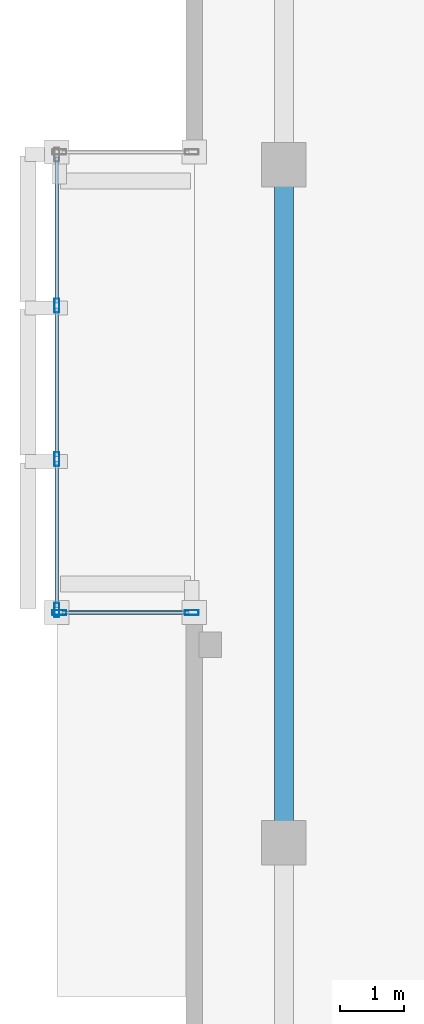
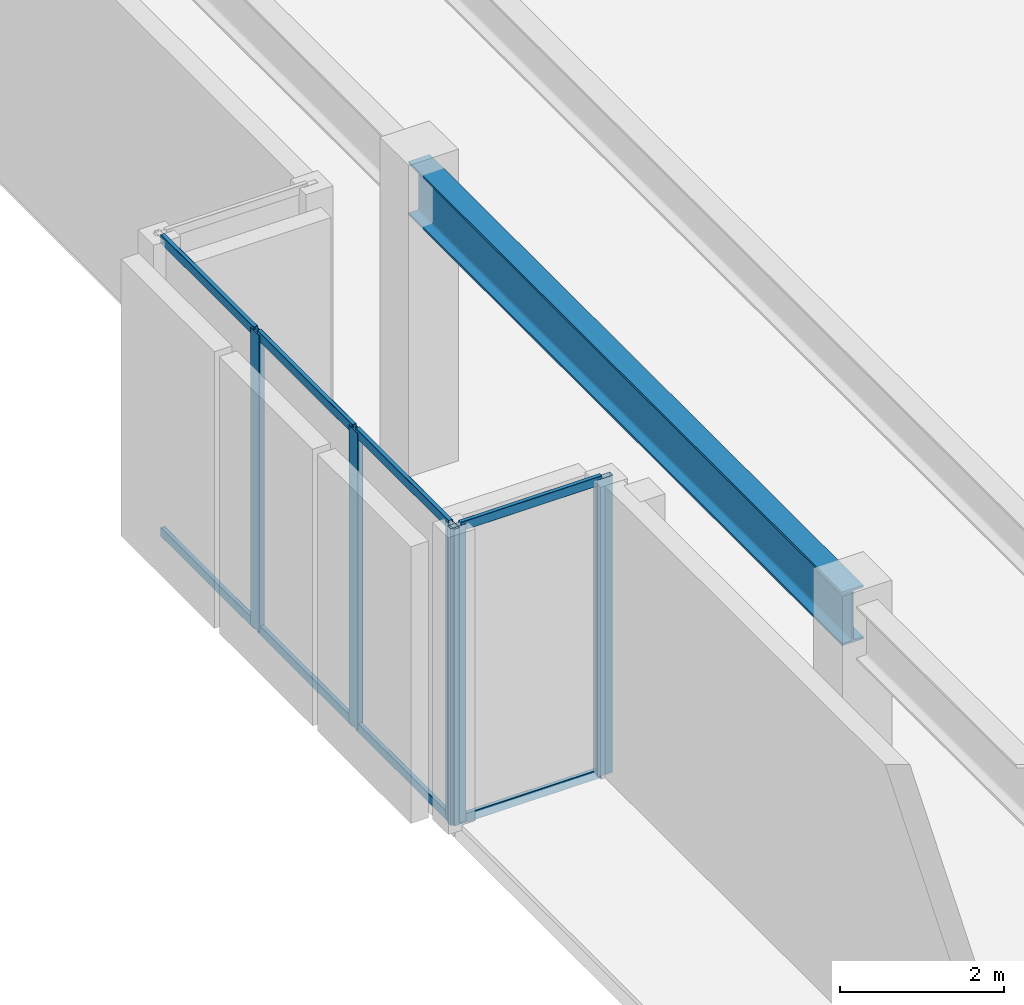
# One storey, part 2 of 16: 13 members, 1 beam, 2 elements without a shape of their own.
"""IFC4 building model written with IfcOpenShell, lengths in metres."""

import ifcopenshell
import ifcopenshell.guid

model = None  # the IFC model being written
_history = None  # IfcOwnerHistory: only IFC2X3 demands one
_inside = {}  # id of a spatial element -> (the spatial element, [elements in it])
_under = {}  # id of a project, library or spatial element -> (it, [spatial elements below it])
_declared = {}  # id of a project -> (the project, [libraries it declares])
_typed = {}  # id of a type object -> (the type object, [elements of that type])
_made_of = {}  # id of a material, layer set ... -> (it, [elements and type objects made of it])


def new_model(schema):
    """Start an empty IFC model of exactly this schema.

    Asked for "IFC4X3", IfcOpenShell would pick the latest addendum, in which some entities
    have other attributes; the version numbers below select the first issue.
    IFC2X3 requires an IfcOwnerHistory on every rooted entity: one is made here for all.
    """
    global model, _history
    if schema == "IFC4X3":
        model = ifcopenshell.file(schema_version=(4, 3, 0, 0))
    else:
        model = ifcopenshell.file(schema=schema)
    _inside.clear()
    _under.clear()
    _declared.clear()
    _typed.clear()
    _made_of.clear()
    _history = None
    if model.schema == "IFC2X3":
        org = make("IfcOrganization", Name="unknown")
        user = make(
            "IfcPersonAndOrganization",
            ThePerson=make("IfcPerson", FamilyName="unknown"),
            TheOrganization=org,
        )
        app = make(
            "IfcApplication",
            ApplicationDeveloper=org,
            Version="unknown",
            ApplicationFullName="unknown",
            ApplicationIdentifier="unknown",
        )
        _history = make(
            "IfcOwnerHistory",
            OwningUser=user,
            OwningApplication=app,
            ChangeAction="ADDED",
            CreationDate=0,
        )
    return model


def make(cls, **values):
    """One entity of the class cls with the attributes given. An attribute that is None is left unset."""
    return model.create_entity(
        cls, **{name: value for name, value in values.items() if value is not None}
    )


def rooted(cls, **values):
    """An entity with a GlobalId (a new one), such as an element, a storey or a relation."""
    return make(cls, GlobalId=ifcopenshell.guid.new(), OwnerHistory=_history, **values)


def si_unit(unit_type, name, prefix=None):
    """IfcSIUnit, for example si_unit("LENGTHUNIT", "METRE", prefix="MILLI")."""
    return make("IfcSIUnit", UnitType=unit_type, Prefix=prefix, Name=name)


def assignment(units):
    """IfcUnitAssignment: the units of a project."""
    return None if units is None else make("IfcUnitAssignment", Units=units)


def point(xyz):
    """IfcCartesianPoint."""
    return None if xyz is None else make("IfcCartesianPoint", Coordinates=xyz)


def direction(xyz):
    """IfcDirection."""
    return None if xyz is None else make("IfcDirection", DirectionRatios=xyz)


def frame(location, z_axis=None, x_axis=None):
    """IfcAxis2Placement3D, a coordinate frame: its origin and axes. An axis left out is left unset."""
    return make(
        "IfcAxis2Placement3D",
        Location=point(location),
        Axis=direction(z_axis),
        RefDirection=direction(x_axis),
    )


def frame_2d(location, x_axis=None):
    """IfcAxis2Placement2D, a coordinate frame in the plane: its origin and x axis."""
    return make(
        "IfcAxis2Placement2D", Location=point(location), RefDirection=direction(x_axis)
    )


def origin():
    """The frame at (0, 0, 0) with its axes left unset."""
    return frame((0.0, 0.0, 0.0))


def origin_2d():
    """The frame at (0, 0) in the plane with its x axis left unset."""
    return frame_2d((0.0, 0.0))


def place(relative_to, where):
    """IfcLocalPlacement: puts the frame where relative to a parent placement (None: the world)."""
    return make(
        "IfcLocalPlacement", PlacementRelTo=relative_to, RelativePlacement=where
    )


def context(
    kind, dimensions, precision=None, world=None, true_north=None, identifier=None
):
    """IfcGeometricRepresentationContext, for example the 3D "Model" context."""
    return make(
        "IfcGeometricRepresentationContext",
        ContextIdentifier=identifier,
        ContextType=kind,
        CoordinateSpaceDimension=dimensions,
        Precision=precision,
        WorldCoordinateSystem=world,
        TrueNorth=true_north,
    )


def subcontext(parent, identifier, kind, view, scale=None):
    """IfcGeometricRepresentationSubContext, for example "Body" below "Model"."""
    return make(
        "IfcGeometricRepresentationSubContext",
        ContextIdentifier=identifier,
        ContextType=kind,
        ParentContext=parent,
        TargetScale=scale,
        TargetView=view,
    )


def project(units=None, contexts=None):
    """IfcProject with its units and contexts."""
    return rooted(
        "IfcProject",
        Name="project",
        RepresentationContexts=contexts,
        UnitsInContext=assignment(units),
    )


def spatial(cls, under=None, at=None, **own):
    """A site, building, storey or space (cls), placed at a placement, below another one or the project."""
    s = rooted(cls, ObjectPlacement=at, **own)
    if under is not None:
        _under.setdefault(under.id(), (under, []))[1].append(s)
    return s


def profile(cls, at=None, kind="AREA", **sizes):
    """A parametric profile (cls). Its sizes go by their IFC names, for example OverallWidth=200.0."""
    return make(cls, ProfileType=kind, Position=at, **sizes)


def hollow_rectangle(**sizes):
    """IfcRectangleHollowProfileDef."""
    return profile("IfcRectangleHollowProfileDef", **sizes)


def i_section(**sizes):
    """IfcIShapeProfileDef."""
    return profile("IfcIShapeProfileDef", **sizes)


def extrude(swept, where, along, depth):
    """IfcExtrudedAreaSolid: the profile swept, set in the frame where, extruded along a direction by depth."""
    return make(
        "IfcExtrudedAreaSolid",
        SweptArea=swept,
        Position=where,
        ExtrudedDirection=direction(along),
        Depth=depth,
    )


def shape(context_of_items, identifier, shape_type, items):
    """IfcShapeRepresentation: the items that make up one representation, for example the "Body"."""
    return make(
        "IfcShapeRepresentation",
        ContextOfItems=context_of_items,
        RepresentationIdentifier=identifier,
        RepresentationType=shape_type,
        Items=items,
    )


def material(Name=None, Category=None):
    """IfcMaterial."""
    return make("IfcMaterial", Name=Name, Category=Category)


def layer(
    of_material, thickness, ventilated=None, Name=None, Category=None, Priority=None
):
    """IfcMaterialLayer: one layer of a wall or slab, of a material (None: an air gap)."""
    return make(
        "IfcMaterialLayer",
        Material=of_material,
        LayerThickness=thickness,
        IsVentilated=ventilated,
        Name=Name,
        Category=Category,
        Priority=Priority,
    )


def layer_set(layers, Name=None):
    """IfcMaterialLayerSet."""
    return make("IfcMaterialLayerSet", MaterialLayers=layers, LayerSetName=Name)


def material_profile(
    of_material, cross_section, Name=None, Category=None, Priority=None
):
    """IfcMaterialProfile: a cross section and its material."""
    return make(
        "IfcMaterialProfile",
        Name=Name,
        Material=of_material,
        Profile=cross_section,
        Priority=Priority,
        Category=Category,
    )


def profile_set(profiles, Name=None, composite=None):
    """IfcMaterialProfileSet."""
    return make(
        "IfcMaterialProfileSet",
        Name=Name,
        MaterialProfiles=profiles,
        CompositeProfile=composite,
    )


def made_of(thing, what):
    """Note that an element or type object is made of a material, layer set ...; save() writes the relation."""
    if what is not None:
        _made_of.setdefault(what.id(), (what, []))[1].append(thing)
    return thing


def type_object(cls, material=None, **own):
    """A type object (cls), such as IfcWallType, which elements share."""
    return made_of(rooted(cls, **own), material)


def element(
    cls,
    number,
    at=None,
    inside=None,
    cuts=None,
    type_object=None,
    material=None,
    context=None,
    identifier="Body",
    shape_type=None,
    held_by="IfcProductDefinitionShape",
    body=None,
    shapes=None,
    **own,
):
    """One element of the class cls, such as IfcWall. Its Tag is "e" and its number.

    at: its placement. inside: the storey or other place that contains it. cuts: it is an
    opening in that element (IfcRelVoidsElement). A single representation is given by context,
    identifier, shape_type and body (its items); several are given by shapes. held_by: the class
    of the entity that holds the representations. save() writes the other relations.
    """
    e = rooted(cls, Tag="e%d" % number, ObjectPlacement=at, **own)
    if body is not None:
        shapes = [shape(context, identifier, shape_type, body)]
    if shapes is not None:
        e.Representation = make(held_by, Representations=shapes)
    if inside is not None:
        _inside.setdefault(inside.id(), (inside, []))[1].append(e)
    if cuts is not None:
        rooted(
            "IfcRelVoidsElement", RelatingBuildingElement=cuts, RelatedOpeningElement=e
        )
    if type_object is not None:
        _typed.setdefault(type_object.id(), (type_object, []))[1].append(e)
    return made_of(e, material)


def aggregate(whole, parts):
    """IfcRelAggregates: a whole, such as a stair, and the parts it consists of."""
    return rooted("IfcRelAggregates", RelatingObject=whole, RelatedObjects=parts)


def save(model, path):
    """Write the relations noted so far, then the file.

    IfcRelAggregates (storeys below a building ...), IfcRelContainedInSpatialStructure (elements
    in a storey), IfcRelDefinesByType, IfcRelAssociatesMaterial and IfcRelDeclares: one each for
    every whole, place, type object, material and project.
    """
    for whole, parts in _under.values():
        aggregate(whole, parts)
    for where, things in _inside.values():
        rooted(
            "IfcRelContainedInSpatialStructure",
            RelatedElements=things,
            RelatingStructure=where,
        )
    for kind, things in _typed.values():
        rooted("IfcRelDefinesByType", RelatedObjects=things, RelatingType=kind)
    for what, things in _made_of.values():
        rooted("IfcRelAssociatesMaterial", RelatedObjects=things, RelatingMaterial=what)
    for by, libraries in _declared.values():
        rooted("IfcRelDeclares", RelatingContext=by, RelatedDefinitions=libraries)
    model.write(path)


model = new_model("IFC4")

# Units and contexts
model_context = context("Model", 3, precision=1e-05, world=origin(), true_north=direction((0.0, 1.0)))
body_context = subcontext(model_context, "Body", "Model", "MODEL_VIEW")
ifc_project = project(units=[si_unit("LENGTHUNIT", "METRE"), si_unit("AREAUNIT", "SQUARE_METRE"), si_unit("VOLUMEUNIT", "CUBIC_METRE"), si_unit("PLANEANGLEUNIT", "RADIAN"), si_unit("MASSUNIT", "GRAM", prefix="KILO")], contexts=[model_context])

# Site, building, storey
site_placement = place(None, origin())
site = spatial("IfcSite", under=ifc_project, at=site_placement, CompositionType="ELEMENT")
building_placement = place(site_placement, origin())
building = spatial("IfcBuilding", under=site, at=building_placement, Name="An Khanh Terracotta Commons", CompositionType="ELEMENT")
storey_placement = place(building_placement, frame((0.0, 0.0, 10.050048828125)))
storey = spatial("IfcBuildingStorey", under=building, at=storey_placement, Name="L03", CompositionType="ELEMENT", Elevation=10.050048828125)

# Beam
ifc_material_1 = material(Name="Steel S355J2", Category="steel")
ifc_material_profile_1 = material_profile(ifc_material_1, i_section(OverallWidth=0.300048828125, OverallDepth=0.800048828125, WebThickness=0.017578125, FlangeThickness=0.032958984375, FilletRadius=0.030029296875, at=origin_2d()), Name="HEB800")
ifc_profile_set_1 = profile_set([ifc_material_profile_1], Name="Steel S355J2")
beam_type = type_object("IfcBeamType", Name="BM-HEB800", PredefinedType="BEAM", material=ifc_profile_set_1)
beam_placement = place(storey_placement, frame((3.0, 14.39990234375, 4.030029296875), z_axis=(0.0, 1.0, 0.0), x_axis=(-1.0, 0.0, 0.0)))
element("IfcBeam", 1, at=beam_placement, inside=storey, type_object=beam_type, Name="L03 Primary Podium Girder 2", PredefinedType="BEAM", context=body_context, shape_type="SweptSolid", body=[
    extrude(i_section(OverallWidth=0.300048828125, OverallDepth=0.800048828125, WebThickness=0.017578125, FlangeThickness=0.032958984375, FilletRadius=0.030029296875, at=origin_2d()), origin(), (0.0, 0.0, 1.0), 10.60009765625),
])

# Curtain wall, members
ifc_material_2 = material(Name="Anodised Aluminium 6063-T6", Category="aluminium")
ifc_layer = layer(ifc_material_2, 0.239990234375, Name="Anodised Aluminium 6063-T6")
ifc_layer_set = layer_set([ifc_layer], Name="Anodised Aluminium 6063-T6")
curtain_wall_type = type_object("IfcCurtainWallType", Name="CW-SYS-04", PredefinedType="USERDEFINED", material=ifc_layer_set)
curtain_wall_1_placement = place(storey_placement, origin())
curtain_wall_1 = element("IfcCurtainWall", 2, at=curtain_wall_1_placement, inside=storey, type_object=curtain_wall_type, Name="L03 CW-04 Unitised Curtain Wall CW-L03-WBOX-1", ObjectType="UNITISED CURTAIN WALL", PredefinedType="USERDEFINED")
ifc_material_profile_2 = material_profile(ifc_material_2, hollow_rectangle(XDim=0.080078125, YDim=0.219970703125, WallThickness=0.0048828125, InnerFilletRadius=0.0048828125, OuterFilletRadius=0.010009765625, at=origin_2d()), Name="RHS220x80x5")
ifc_profile_set_2 = profile_set([ifc_material_profile_2], Name="Anodised Aluminium 6063-T6")
member_type_1 = type_object("IfcMemberType", Name="CWM-RHS220x80x5", PredefinedType="MULLION", material=ifc_profile_set_2)
member_1_placement = place(storey_placement, frame((-0.550048828125, 22.800048828125, 0.0), z_axis=(0.0, 0.0, 1.0), x_axis=(1.0, 0.0, 0.0)))
member_1 = element("IfcMember", 3, at=member_1_placement, type_object=member_type_1, Name="CW-04 mullion 2", PredefinedType="MULLION", context=body_context, shape_type="SweptSolid", body=[
    extrude(hollow_rectangle(XDim=0.080078125, YDim=0.219970703125, WallThickness=0.0048828125, InnerFilletRadius=0.0048828125, OuterFilletRadius=0.010009765625, at=origin_2d()), origin(), (0.0, 0.0, 1.0), 4.429931640625),
])
member_2_placement = place(storey_placement, frame((-0.550048828125, 20.39990234375, 0.0), z_axis=(0.0, 0.0, 1.0), x_axis=(1.0, 0.0, 0.0)))
member_2 = element("IfcMember", 4, at=member_2_placement, type_object=member_type_1, Name="CW-04 mullion 3", PredefinedType="MULLION", context=body_context, shape_type="SweptSolid", body=[
    extrude(hollow_rectangle(XDim=0.080078125, YDim=0.219970703125, WallThickness=0.0048828125, InnerFilletRadius=0.0048828125, OuterFilletRadius=0.010009765625, at=origin_2d()), origin(), (0.0, 0.0, 1.0), 4.429931640625),
])
member_3_placement = place(storey_placement, frame((-0.550048828125, 18.0400390625, 0.0), z_axis=(0.0, 0.0, 1.0), x_axis=(1.0, 0.0, 0.0)))
member_3 = element("IfcMember", 5, at=member_3_placement, type_object=member_type_1, Name="CW-04 mullion 4", PredefinedType="MULLION", context=body_context, shape_type="SweptSolid", body=[
    extrude(hollow_rectangle(XDim=0.080078125, YDim=0.219970703125, WallThickness=0.0048828125, InnerFilletRadius=0.0048828125, OuterFilletRadius=0.010009765625, at=origin_2d()), origin(), (0.0, 0.0, 1.0), 4.429931640625),
])

curtain_wall_2_placement = place(storey_placement, origin())
curtain_wall_2 = element("IfcCurtainWall", 6, at=curtain_wall_2_placement, inside=storey, type_object=curtain_wall_type, Name="L03 CW-04 Unitised Curtain Wall CW-L03-WBOX-2", ObjectType="UNITISED CURTAIN WALL", PredefinedType="USERDEFINED")
member_4_placement = place(storey_placement, frame((1.56005859375, 18.0, 0.0), z_axis=(0.0, 0.0, 1.0), x_axis=(0.0, -1.0, 0.0)))
member_4 = element("IfcMember", 7, at=member_4_placement, type_object=member_type_1, Name="CW-04 mullion 1", PredefinedType="MULLION", context=body_context, shape_type="SweptSolid", body=[
    extrude(hollow_rectangle(XDim=0.080078125, YDim=0.219970703125, WallThickness=0.0048828125, InnerFilletRadius=0.0048828125, OuterFilletRadius=0.010009765625, at=origin_2d()), origin(), (0.0, 0.0, 1.0), 4.429931640625),
])
member_5_placement = place(storey_placement, frame((-0.510009765625, 18.0, 0.0), z_axis=(0.0, 0.0, 1.0), x_axis=(0.0, -1.0, 0.0)))
member_5 = element("IfcMember", 8, at=member_5_placement, type_object=member_type_1, Name="CW-04 mullion 2", PredefinedType="MULLION", context=body_context, shape_type="SweptSolid", body=[
    extrude(hollow_rectangle(XDim=0.080078125, YDim=0.219970703125, WallThickness=0.0048828125, InnerFilletRadius=0.0048828125, OuterFilletRadius=0.010009765625, at=origin_2d()), origin(), (0.0, 0.0, 1.0), 4.429931640625),
])

# Member
ifc_material_profile_3 = material_profile(ifc_material_2, hollow_rectangle(XDim=0.06005859375, YDim=0.135009765625, WallThickness=0.003662109375, InnerFilletRadius=0.003662109375, OuterFilletRadius=0.007080078125, at=origin_2d()), Name="RHS135x60x3.6")
ifc_profile_set_3 = profile_set([ifc_material_profile_3], Name="Anodised Aluminium 6063-T6")
member_type_2 = type_object("IfcMemberType", Name="CWT-RHS135x60x3.6", PredefinedType="USERDEFINED", material=ifc_profile_set_3)
member_6_placement = place(storey_placement, frame((-0.550048828125, 25.1201171875, 0.030029296875), z_axis=(0.0, -1.0, 0.0), x_axis=(1.0, 0.0, 0.0)))
member_6 = element("IfcMember", 9, at=member_6_placement, type_object=member_type_2, Name="CW-04 transom 1.1", ObjectType="TRANSOM", PredefinedType="USERDEFINED", context=body_context, shape_type="SweptSolid", body=[
    extrude(hollow_rectangle(XDim=0.06005859375, YDim=0.135009765625, WallThickness=0.003662109375, InnerFilletRadius=0.003662109375, OuterFilletRadius=0.007080078125, at=origin_2d()), origin(), (0.0, 0.0, 1.0), 2.280029296875),
])

member_7_placement = place(storey_placement, frame((-0.550048828125, 25.1201171875, 4.39990234375), z_axis=(0.0, -1.0, 0.0), x_axis=(1.0, 0.0, 0.0)))
member_7 = element("IfcMember", 10, at=member_7_placement, type_object=member_type_2, Name="CW-04 transom 1.2", ObjectType="TRANSOM", PredefinedType="USERDEFINED", context=body_context, shape_type="SweptSolid", body=[
    extrude(hollow_rectangle(XDim=0.06005859375, YDim=0.135009765625, WallThickness=0.003662109375, InnerFilletRadius=0.003662109375, OuterFilletRadius=0.007080078125, at=origin_2d()), origin(), (0.0, 0.0, 1.0), 2.280029296875),
])

member_8_placement = place(storey_placement, frame((-0.550048828125, 22.760009765625, 0.030029296875), z_axis=(0.0, -1.0, 0.0), x_axis=(1.0, 0.0, 0.0)))
member_8 = element("IfcMember", 11, at=member_8_placement, type_object=member_type_2, Name="CW-04 transom 2.1", ObjectType="TRANSOM", PredefinedType="USERDEFINED", context=body_context, shape_type="SweptSolid", body=[
    extrude(hollow_rectangle(XDim=0.06005859375, YDim=0.135009765625, WallThickness=0.003662109375, InnerFilletRadius=0.003662109375, OuterFilletRadius=0.007080078125, at=origin_2d()), origin(), (0.0, 0.0, 1.0), 2.320068359375),
])

member_9_placement = place(storey_placement, frame((-0.550048828125, 22.760009765625, 4.39990234375), z_axis=(0.0, -1.0, 0.0), x_axis=(1.0, 0.0, 0.0)))
member_9 = element("IfcMember", 12, at=member_9_placement, type_object=member_type_2, Name="CW-04 transom 2.2", ObjectType="TRANSOM", PredefinedType="USERDEFINED", context=body_context, shape_type="SweptSolid", body=[
    extrude(hollow_rectangle(XDim=0.06005859375, YDim=0.135009765625, WallThickness=0.003662109375, InnerFilletRadius=0.003662109375, OuterFilletRadius=0.007080078125, at=origin_2d()), origin(), (0.0, 0.0, 1.0), 2.320068359375),
])

member_10_placement = place(storey_placement, frame((-0.550048828125, 20.360107421875, 0.030029296875), z_axis=(0.0, -1.0, 0.0), x_axis=(1.0, 0.0, 0.0)))
member_10 = element("IfcMember", 13, at=member_10_placement, type_object=member_type_2, Name="CW-04 transom 3.1", ObjectType="TRANSOM", PredefinedType="USERDEFINED", context=body_context, shape_type="SweptSolid", body=[
    extrude(hollow_rectangle(XDim=0.06005859375, YDim=0.135009765625, WallThickness=0.003662109375, InnerFilletRadius=0.003662109375, OuterFilletRadius=0.007080078125, at=origin_2d()), origin(), (0.0, 0.0, 1.0), 2.280029296875),
])

member_11_placement = place(storey_placement, frame((-0.550048828125, 20.360107421875, 4.39990234375), z_axis=(0.0, -1.0, 0.0), x_axis=(1.0, 0.0, 0.0)))
member_11 = element("IfcMember", 14, at=member_11_placement, type_object=member_type_2, Name="CW-04 transom 3.2", ObjectType="TRANSOM", PredefinedType="USERDEFINED", context=body_context, shape_type="SweptSolid", body=[
    extrude(hollow_rectangle(XDim=0.06005859375, YDim=0.135009765625, WallThickness=0.003662109375, InnerFilletRadius=0.003662109375, OuterFilletRadius=0.007080078125, at=origin_2d()), origin(), (0.0, 0.0, 1.0), 2.280029296875),
])

aggregate(curtain_wall_1, [member_1, member_2, member_3, member_6, member_7, member_8, member_9, member_10, member_11])

member_12_placement = place(storey_placement, frame((1.52001953125, 18.0, 0.030029296875), z_axis=(-1.0, 0.0, 0.0), x_axis=(0.0, -1.0, 0.0)))
member_12 = element("IfcMember", 15, at=member_12_placement, type_object=member_type_2, Name="CW-04 transom 1.1", ObjectType="TRANSOM", PredefinedType="USERDEFINED", context=body_context, shape_type="SweptSolid", body=[
    extrude(hollow_rectangle(XDim=0.06005859375, YDim=0.135009765625, WallThickness=0.003662109375, InnerFilletRadius=0.003662109375, OuterFilletRadius=0.007080078125, at=origin_2d()), origin(), (0.0, 0.0, 1.0), 1.989990234375),
])

member_13_placement = place(storey_placement, frame((1.52001953125, 18.0, 4.39990234375), z_axis=(-1.0, 0.0, 0.0), x_axis=(0.0, -1.0, 0.0)))
member_13 = element("IfcMember", 16, at=member_13_placement, type_object=member_type_2, Name="CW-04 transom 1.2", ObjectType="TRANSOM", PredefinedType="USERDEFINED", context=body_context, shape_type="SweptSolid", body=[
    extrude(hollow_rectangle(XDim=0.06005859375, YDim=0.135009765625, WallThickness=0.003662109375, InnerFilletRadius=0.003662109375, OuterFilletRadius=0.007080078125, at=origin_2d()), origin(), (0.0, 0.0, 1.0), 1.989990234375),
])

aggregate(curtain_wall_2, [member_4, member_5, member_12, member_13])

save(model, "model.ifc")
